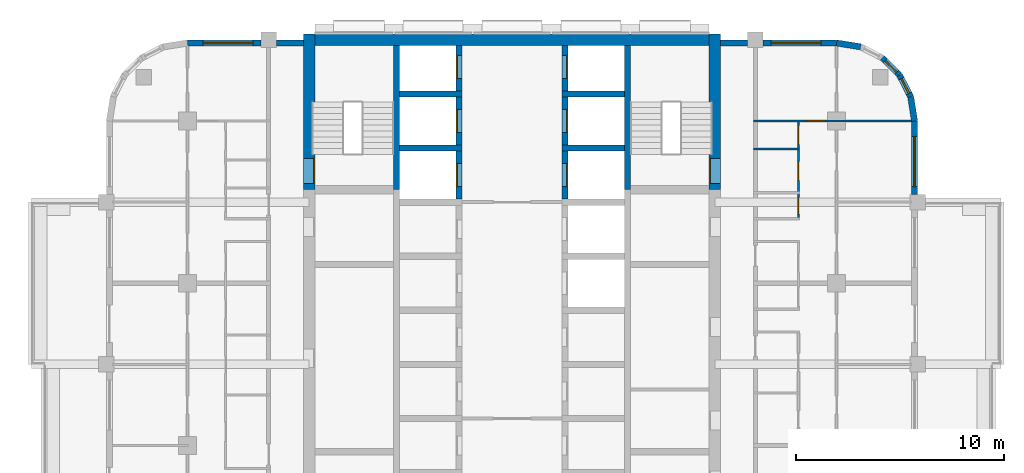
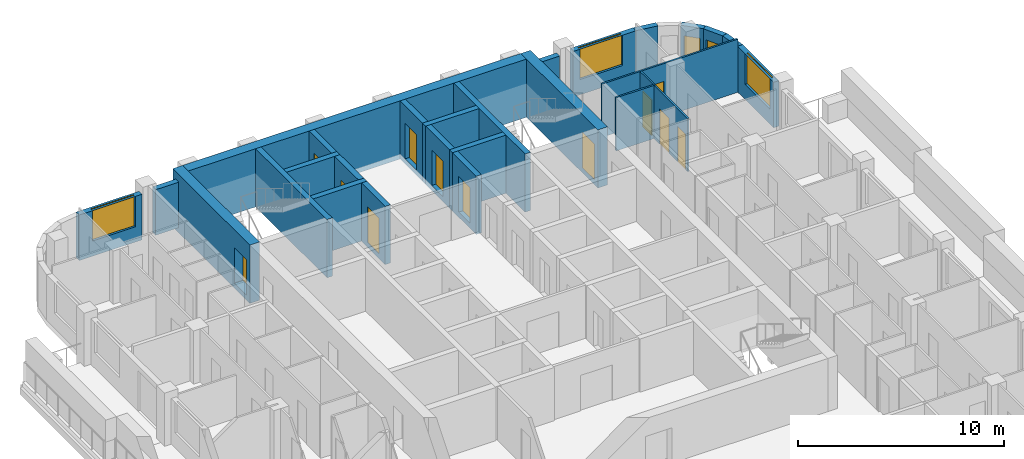
# One storey, part 8 of 13: 27 walls, 12 doors, 5 windows, 17 openings.
"""IFC4 building model written with IfcOpenShell, lengths in metres."""

import ifcopenshell
import ifcopenshell.guid

model = None  # the IFC model being written
_history = None  # IfcOwnerHistory: only IFC2X3 demands one
_inside = {}  # id of a spatial element -> (the spatial element, [elements in it])
_under = {}  # id of a project, library or spatial element -> (it, [spatial elements below it])
_declared = {}  # id of a project -> (the project, [libraries it declares])
_typed = {}  # id of a type object -> (the type object, [elements of that type])
_made_of = {}  # id of a material, layer set ... -> (it, [elements and type objects made of it])


def new_model(schema):
    """Start an empty IFC model of exactly this schema.

    Asked for "IFC4X3", IfcOpenShell would pick the latest addendum, in which some entities
    have other attributes; the version numbers below select the first issue.
    IFC2X3 requires an IfcOwnerHistory on every rooted entity: one is made here for all.
    """
    global model, _history
    if schema == "IFC4X3":
        model = ifcopenshell.file(schema_version=(4, 3, 0, 0))
    else:
        model = ifcopenshell.file(schema=schema)
    _inside.clear()
    _under.clear()
    _declared.clear()
    _typed.clear()
    _made_of.clear()
    _history = None
    if model.schema == "IFC2X3":
        org = make("IfcOrganization", Name="unknown")
        user = make(
            "IfcPersonAndOrganization",
            ThePerson=make("IfcPerson", FamilyName="unknown"),
            TheOrganization=org,
        )
        app = make(
            "IfcApplication",
            ApplicationDeveloper=org,
            Version="unknown",
            ApplicationFullName="unknown",
            ApplicationIdentifier="unknown",
        )
        _history = make(
            "IfcOwnerHistory",
            OwningUser=user,
            OwningApplication=app,
            ChangeAction="ADDED",
            CreationDate=0,
        )
    return model


def make(cls, **values):
    """One entity of the class cls with the attributes given. An attribute that is None is left unset."""
    return model.create_entity(
        cls, **{name: value for name, value in values.items() if value is not None}
    )


def rooted(cls, **values):
    """An entity with a GlobalId (a new one), such as an element, a storey or a relation."""
    return make(cls, GlobalId=ifcopenshell.guid.new(), OwnerHistory=_history, **values)


def si_unit(unit_type, name, prefix=None):
    """IfcSIUnit, for example si_unit("LENGTHUNIT", "METRE", prefix="MILLI")."""
    return make("IfcSIUnit", UnitType=unit_type, Prefix=prefix, Name=name)


def assignment(units):
    """IfcUnitAssignment: the units of a project."""
    return None if units is None else make("IfcUnitAssignment", Units=units)


def point(xyz):
    """IfcCartesianPoint."""
    return None if xyz is None else make("IfcCartesianPoint", Coordinates=xyz)


def direction(xyz):
    """IfcDirection."""
    return None if xyz is None else make("IfcDirection", DirectionRatios=xyz)


def frame(location, z_axis=None, x_axis=None):
    """IfcAxis2Placement3D, a coordinate frame: its origin and axes. An axis left out is left unset."""
    return make(
        "IfcAxis2Placement3D",
        Location=point(location),
        Axis=direction(z_axis),
        RefDirection=direction(x_axis),
    )


def frame_2d(location, x_axis=None):
    """IfcAxis2Placement2D, a coordinate frame in the plane: its origin and x axis."""
    return make(
        "IfcAxis2Placement2D", Location=point(location), RefDirection=direction(x_axis)
    )


def origin():
    """The frame at (0, 0, 0) with its axes left unset."""
    return frame((0.0, 0.0, 0.0))


def place(relative_to, where):
    """IfcLocalPlacement: puts the frame where relative to a parent placement (None: the world)."""
    return make(
        "IfcLocalPlacement", PlacementRelTo=relative_to, RelativePlacement=where
    )


def context(
    kind, dimensions, precision=None, world=None, true_north=None, identifier=None
):
    """IfcGeometricRepresentationContext, for example the 3D "Model" context."""
    return make(
        "IfcGeometricRepresentationContext",
        ContextIdentifier=identifier,
        ContextType=kind,
        CoordinateSpaceDimension=dimensions,
        Precision=precision,
        WorldCoordinateSystem=world,
        TrueNorth=true_north,
    )


def subcontext(parent, identifier, kind, view, scale=None):
    """IfcGeometricRepresentationSubContext, for example "Body" below "Model"."""
    return make(
        "IfcGeometricRepresentationSubContext",
        ContextIdentifier=identifier,
        ContextType=kind,
        ParentContext=parent,
        TargetScale=scale,
        TargetView=view,
    )


def project(units=None, contexts=None):
    """IfcProject with its units and contexts."""
    return rooted(
        "IfcProject",
        Name="project",
        RepresentationContexts=contexts,
        UnitsInContext=assignment(units),
    )


def spatial(cls, under=None, at=None, **own):
    """A site, building, storey or space (cls), placed at a placement, below another one or the project."""
    s = rooted(cls, ObjectPlacement=at, **own)
    if under is not None:
        _under.setdefault(under.id(), (under, []))[1].append(s)
    return s


def profile(cls, at=None, kind="AREA", **sizes):
    """A parametric profile (cls). Its sizes go by their IFC names, for example OverallWidth=200.0."""
    return make(cls, ProfileType=kind, Position=at, **sizes)


def rectangle(**sizes):
    """IfcRectangleProfileDef."""
    return profile("IfcRectangleProfileDef", **sizes)


def extrude(swept, where, along, depth):
    """IfcExtrudedAreaSolid: the profile swept, set in the frame where, extruded along a direction by depth."""
    return make(
        "IfcExtrudedAreaSolid",
        SweptArea=swept,
        Position=where,
        ExtrudedDirection=direction(along),
        Depth=depth,
    )


def shape(context_of_items, identifier, shape_type, items):
    """IfcShapeRepresentation: the items that make up one representation, for example the "Body"."""
    return make(
        "IfcShapeRepresentation",
        ContextOfItems=context_of_items,
        RepresentationIdentifier=identifier,
        RepresentationType=shape_type,
        Items=items,
    )


def material(Name=None, Category=None):
    """IfcMaterial."""
    return make("IfcMaterial", Name=Name, Category=Category)


def layer(
    of_material, thickness, ventilated=None, Name=None, Category=None, Priority=None
):
    """IfcMaterialLayer: one layer of a wall or slab, of a material (None: an air gap)."""
    return make(
        "IfcMaterialLayer",
        Material=of_material,
        LayerThickness=thickness,
        IsVentilated=ventilated,
        Name=Name,
        Category=Category,
        Priority=Priority,
    )


def layer_set(layers, Name=None):
    """IfcMaterialLayerSet."""
    return make("IfcMaterialLayerSet", MaterialLayers=layers, LayerSetName=Name)


def made_of(thing, what):
    """Note that an element or type object is made of a material, layer set ...; save() writes the relation."""
    if what is not None:
        _made_of.setdefault(what.id(), (what, []))[1].append(thing)
    return thing


def type_object(cls, material=None, **own):
    """A type object (cls), such as IfcWallType, which elements share."""
    return made_of(rooted(cls, **own), material)


def element(
    cls,
    number,
    at=None,
    inside=None,
    cuts=None,
    type_object=None,
    material=None,
    context=None,
    identifier="Body",
    shape_type=None,
    held_by="IfcProductDefinitionShape",
    body=None,
    shapes=None,
    **own,
):
    """One element of the class cls, such as IfcWall. Its Tag is "e" and its number.

    at: its placement. inside: the storey or other place that contains it. cuts: it is an
    opening in that element (IfcRelVoidsElement). A single representation is given by context,
    identifier, shape_type and body (its items); several are given by shapes. held_by: the class
    of the entity that holds the representations. save() writes the other relations.
    """
    e = rooted(cls, Tag="e%d" % number, ObjectPlacement=at, **own)
    if body is not None:
        shapes = [shape(context, identifier, shape_type, body)]
    if shapes is not None:
        e.Representation = make(held_by, Representations=shapes)
    if inside is not None:
        _inside.setdefault(inside.id(), (inside, []))[1].append(e)
    if cuts is not None:
        rooted(
            "IfcRelVoidsElement", RelatingBuildingElement=cuts, RelatedOpeningElement=e
        )
    if type_object is not None:
        _typed.setdefault(type_object.id(), (type_object, []))[1].append(e)
    return made_of(e, material)


def fill(opening, filler):
    """IfcRelFillsElement: the door or window that sits in an opening."""
    return rooted(
        "IfcRelFillsElement",
        RelatingOpeningElement=opening,
        RelatedBuildingElement=filler,
    )


def aggregate(whole, parts):
    """IfcRelAggregates: a whole, such as a stair, and the parts it consists of."""
    return rooted("IfcRelAggregates", RelatingObject=whole, RelatedObjects=parts)


def save(model, path):
    """Write the relations noted so far, then the file.

    IfcRelAggregates (storeys below a building ...), IfcRelContainedInSpatialStructure (elements
    in a storey), IfcRelDefinesByType, IfcRelAssociatesMaterial and IfcRelDeclares: one each for
    every whole, place, type object, material and project.
    """
    for whole, parts in _under.values():
        aggregate(whole, parts)
    for where, things in _inside.values():
        rooted(
            "IfcRelContainedInSpatialStructure",
            RelatedElements=things,
            RelatingStructure=where,
        )
    for kind, things in _typed.values():
        rooted("IfcRelDefinesByType", RelatedObjects=things, RelatingType=kind)
    for what, things in _made_of.values():
        rooted("IfcRelAssociatesMaterial", RelatedObjects=things, RelatingMaterial=what)
    for by, libraries in _declared.values():
        rooted("IfcRelDeclares", RelatingContext=by, RelatedDefinitions=libraries)
    model.write(path)


model = new_model("IFC4")

# Units and contexts
model_context = context("Model", 3, precision=1e-05, world=origin(), true_north=direction((0.0, 1.0)))
body_context = subcontext(model_context, "Body", "Model", "MODEL_VIEW")
ifc_project = project(units=[si_unit("LENGTHUNIT", "METRE"), si_unit("AREAUNIT", "SQUARE_METRE"), si_unit("VOLUMEUNIT", "CUBIC_METRE"), si_unit("PLANEANGLEUNIT", "RADIAN"), si_unit("MASSUNIT", "GRAM", prefix="KILO")], contexts=[model_context])

# Site, building, storey
site_placement = place(None, origin())
site = spatial("IfcSite", under=ifc_project, at=site_placement, CompositionType="ELEMENT")
building_placement = place(site_placement, origin())
building = spatial("IfcBuilding", under=site, at=building_placement, Name="Ludao Terraces", CompositionType="ELEMENT")
storey_placement = place(building_placement, frame((0.0, 0.0, 148.60009765625)))
storey = spatial("IfcBuildingStorey", under=building, at=storey_placement, Name="L40", CompositionType="ELEMENT", Elevation=148.60009765625)

# Wall, opening, door
ifc_material_1 = material(Name="Concrete C60", Category="concrete")
ifc_layer_1 = layer(ifc_material_1, 0.550048828125)
ifc_layer_set_1 = layer_set([ifc_layer_1], Name="Core wall 550 C60")
wall_type_1 = type_object("IfcWallType", Name="Core wall 550 C60", PredefinedType="SOLIDWALL", material=ifc_layer_set_1)
wall_1_placement = place(storey_placement, frame((75.25, 77.300048828125, -0.300048828125), z_axis=(0.0, 0.0, 1.0), x_axis=(0.0, 1.0, 0.0)))
wall_1 = element("IfcWall", 1, at=wall_1_placement, inside=storey, type_object=wall_type_1, Name="Core wall L40 outer-W-S1", PredefinedType="SOLIDWALL", context=body_context, shape_type="SweptSolid", body=[
    extrude(rectangle(XDim=7.474853515625, YDim=0.550048828125, at=frame_2d((3.7373046875, 0.0))), origin(), (0.0, 0.0, 1.0), 3.449951171875),
])
opening_1_placement = place(wall_1_placement, frame((0.300048828125, 0.0, 0.300048828125)))
opening_1 = element("IfcOpeningElement", 2, at=opening_1_placement, cuts=wall_1, Name="Opening R14-078", PredefinedType="OPENING", context=body_context, shape_type="SweptSolid", body=[
    extrude(rectangle(XDim=1.199951171875, YDim=2.10009765625, at=frame_2d((0.60009765625, 1.050048828125))), frame((0.0, 0.28515625, 0.0), z_axis=(0.0, -1.0, 0.0), x_axis=(1.0, 0.0, 0.0)), (0.0, 0.0, 1.0), 0.570068359375),
])
ifc_material_2 = material(Name="Steel Q235", Category="steel")
door_type_1 = type_object("IfcDoorType", Name="INT Stair door 1200", OperationType="DOUBLE_DOOR_SINGLE_SWING", PredefinedType="DOOR", material=ifc_material_2)
door_1_placement = place(opening_1_placement, origin())
door_1 = element("IfcDoor", 3, at=door_1_placement, inside=storey, type_object=door_type_1, Name="DOOR 078", OperationType="DOUBLE_DOOR_SINGLE_SWING", OverallHeight=2.10009765625, OverallWidth=1.199951171875, PredefinedType="DOOR", context=body_context, shape_type="SweptSolid", body=[
    extrude(rectangle(XDim=1.199951171875, YDim=2.10009765625, at=frame_2d((0.60009765625, 1.050048828125))), frame((0.0, -0.2099609375, 0.0), z_axis=(0.0, -1.0, 0.0), x_axis=(1.0, 0.0, 0.0)), (0.0, 0.0, 1.0), 0.050048828125),
])
fill(opening_1, door_1)

wall_2_placement = place(storey_placement, frame((94.75, 77.300048828125, -0.300048828125), z_axis=(0.0, 0.0, 1.0), x_axis=(0.0, 1.0, 0.0)))
wall_2 = element("IfcWall", 4, at=wall_2_placement, inside=storey, type_object=wall_type_1, Name="Core wall L40 outer-E-S2", PredefinedType="SOLIDWALL", context=body_context, shape_type="SweptSolid", body=[
    extrude(rectangle(XDim=7.474853515625, YDim=0.550048828125, at=frame_2d((3.7373046875, 0.0))), origin(), (0.0, 0.0, 1.0), 3.449951171875),
])
opening_2_placement = place(wall_2_placement, frame((0.300048828125, 0.0, 0.300048828125)))
opening_2 = element("IfcOpeningElement", 5, at=opening_2_placement, cuts=wall_2, Name="Opening R14-079", PredefinedType="OPENING", context=body_context, shape_type="SweptSolid", body=[
    extrude(rectangle(XDim=1.199951171875, YDim=2.10009765625, at=frame_2d((0.60009765625, 1.050048828125))), frame((0.0, 0.28515625, 0.0), z_axis=(0.0, -1.0, 0.0), x_axis=(1.0, 0.0, 0.0)), (0.0, 0.0, 1.0), 0.570068359375),
])
door_2_placement = place(opening_2_placement, origin())
door_2 = element("IfcDoor", 6, at=door_2_placement, inside=storey, type_object=door_type_1, Name="DOOR 079", OperationType="DOUBLE_DOOR_SINGLE_SWING", OverallHeight=2.10009765625, OverallWidth=1.199951171875, PredefinedType="DOOR", context=body_context, shape_type="SweptSolid", body=[
    extrude(rectangle(XDim=1.199951171875, YDim=2.10009765625, at=frame_2d((0.60009765625, 1.050048828125))), frame((0.0, 0.26025390625, 0.0), z_axis=(0.0, -1.0, 0.0), x_axis=(1.0, 0.0, 0.0)), (0.0, 0.0, 1.0), 0.050048828125),
])
fill(opening_2, door_2)

# Wall
wall_3_placement = place(storey_placement, frame((75.52490234375, 84.5, -0.300048828125), z_axis=(0.0, 0.0, 1.0), x_axis=(1.0, 0.0, 0.0)))
element("IfcWall", 7, at=wall_3_placement, inside=storey, type_object=wall_type_1, Name="Core wall L40 outer-N", PredefinedType="SOLIDWALL", context=body_context, shape_type="SweptSolid", body=[
    extrude(rectangle(XDim=18.9501953125, YDim=0.550048828125, at=frame_2d((9.47509765625, 0.0))), origin(), (0.0, 0.0, 1.0), 3.449951171875),
])

# Wall, opening, window
ifc_material_3 = material(Name="Granite cladding", Category="masonry")
ifc_layer_2 = layer(ifc_material_3, 0.0400390625, Category="stone")
ifc_material_4 = material(Name="Mineral wool")
ifc_layer_3 = layer(ifc_material_4, 0.06005859375)
ifc_material_5 = material(Name="Concrete C40", Category="concrete")
ifc_layer_4 = layer(ifc_material_5, 0.199951171875, Category="concrete")
ifc_layer_set_2 = layer_set([ifc_layer_2, ifc_layer_3, ifc_layer_4], Name="ENV Stone-clad wall 300")
wall_type_2 = type_object("IfcWallType", Name="ENV Stone-clad wall 300", PredefinedType="SOLIDWALL", material=ifc_layer_set_2)
wall_4_placement = place(storey_placement, frame((104.35009765625, 77.074951171875, 0.0), z_axis=(0.0, 0.0, 1.0), x_axis=(0.0, 1.0, 0.0)))
wall_4 = element("IfcWall", 8, at=wall_4_placement, inside=storey, type_object=wall_type_2, Name="EW-L40-E5", PredefinedType="SOLIDWALL", context=body_context, shape_type="SweptSolid", body=[
    extrude(rectangle(XDim=3.525146484375, YDim=0.300048828125, at=frame_2d((1.7626953125, 0.0))), origin(), (0.0, 0.0, 1.0), 2.699951171875),
])
opening_3_placement = place(wall_4_placement, frame((0.375, 0.0, 0.89990234375)))
opening_3 = element("IfcOpeningElement", 9, at=opening_3_placement, cuts=wall_4, Name="Opening W1", PredefinedType="OPENING", context=body_context, shape_type="SweptSolid", body=[
    extrude(rectangle(XDim=2.39990234375, YDim=1.800048828125, at=frame_2d((1.199951171875, 0.89990234375))), frame((0.0, 0.16015625, 0.0), z_axis=(0.0, -1.0, 0.0), x_axis=(1.0, 0.0, 0.0)), (0.0, 0.0, 1.0), 0.320068359375),
])
ifc_material_6 = material(Name="Clear glass in aluminium frame", Category="aluminium")
ifc_layer_5 = layer(ifc_material_6, 0.06005859375)
ifc_layer_set_3 = layer_set([ifc_layer_5], Name="ENV Window W1 2400x1800")
window_type_1 = type_object("IfcWindowType", Name="ENV Window W1 2400x1800", PartitioningType="DOUBLE_PANEL_VERTICAL", PredefinedType="WINDOW", material=ifc_layer_set_3)
window_1_placement = place(opening_3_placement, origin())
window_1 = element("IfcWindow", 10, at=window_1_placement, inside=storey, type_object=window_type_1, Name="W-L40-E5-1", OverallHeight=1.800048828125, OverallWidth=2.39990234375, PartitioningType="DOUBLE_PANEL_VERTICAL", PredefinedType="WINDOW", context=body_context, shape_type="SweptSolid", body=[
    extrude(rectangle(XDim=2.39990234375, YDim=1.800048828125, at=frame_2d((1.199951171875, 0.89990234375))), frame((0.0, 0.030029296875, 0.0), z_axis=(0.0, -1.0, 0.0), x_axis=(1.0, 0.0, 0.0)), (0.0, 0.0, 1.0), 0.06005859375),
])
fill(opening_3, window_1)

wall_5_placement = place(storey_placement, frame((69.39990234375, 84.35009765625, 0.0), z_axis=(0.0, 0.0, 1.0), x_axis=(1.0, 0.0, 0.0)))
wall_5 = element("IfcWall", 11, at=wall_5_placement, inside=storey, type_object=wall_type_2, Name="EW-L40-N1", PredefinedType="SOLIDWALL", context=body_context, shape_type="SweptSolid", body=[
    extrude(rectangle(XDim=3.525146484375, YDim=0.300048828125, at=frame_2d((1.7626953125, 0.0))), origin(), (0.0, 0.0, 1.0), 2.699951171875),
])
opening_4_placement = place(wall_5_placement, frame((0.75, 0.0, 0.89990234375)))
opening_4 = element("IfcOpeningElement", 12, at=opening_4_placement, cuts=wall_5, Name="Opening W1", PredefinedType="OPENING", context=body_context, shape_type="SweptSolid", body=[
    extrude(rectangle(XDim=2.39990234375, YDim=1.800048828125, at=frame_2d((1.199951171875, 0.89990234375))), frame((0.0, 0.16015625, 0.0), z_axis=(0.0, -1.0, 0.0), x_axis=(1.0, 0.0, 0.0)), (0.0, 0.0, 1.0), 0.320068359375),
])
window_2_placement = place(opening_4_placement, origin())
window_2 = element("IfcWindow", 13, at=window_2_placement, inside=storey, type_object=window_type_1, Name="W-L40-N1-1", OverallHeight=1.800048828125, OverallWidth=2.39990234375, PartitioningType="DOUBLE_PANEL_VERTICAL", PredefinedType="WINDOW", context=body_context, shape_type="SweptSolid", body=[
    extrude(rectangle(XDim=2.39990234375, YDim=1.800048828125, at=frame_2d((1.199951171875, 0.89990234375))), frame((0.0, 0.030029296875, 0.0), z_axis=(0.0, -1.0, 0.0), x_axis=(1.0, 0.0, 0.0)), (0.0, 0.0, 1.0), 0.06005859375),
])
fill(opening_4, window_2)

# Walls
for number, where, z_axis, x_axis, name in (
    (14, (73.675048828125, 84.35009765625, 0.0), (0.0, 0.0, 1.0), (1.0, 0.0, 0.0), "EW-L40-N2"),
    (15, (95.02490234375, 84.35009765625, 0.0), (0.0, 0.0, 1.0), (1.0, 0.0, 0.0), "EW-L40-N3"),
):
    element("IfcWall", number, at=place(storey_placement, frame(where, z_axis=z_axis, x_axis=x_axis)), inside=storey, type_object=wall_type_2, Name=name, PredefinedType="SOLIDWALL", context=body_context, shape_type="SweptSolid", body=[
        extrude(rectangle(XDim=1.300048828125, YDim=0.300048828125, at=frame_2d((0.64990234375, 0.0))), origin(), (0.0, 0.0, 1.0), 2.699951171875),
    ])

# Wall, opening, window
wall_6_placement = place(storey_placement, frame((97.074951171875, 84.35009765625, 0.0), z_axis=(0.0, 0.0, 1.0), x_axis=(1.0, 0.0, 0.0)))
wall_6 = element("IfcWall", 16, at=wall_6_placement, inside=storey, type_object=wall_type_2, Name="EW-L40-N4", PredefinedType="SOLIDWALL", context=body_context, shape_type="SweptSolid", body=[
    extrude(rectangle(XDim=3.525146484375, YDim=0.300048828125, at=frame_2d((1.7626953125, 0.0))), origin(), (0.0, 0.0, 1.0), 2.699951171875),
])
opening_5_placement = place(wall_6_placement, frame((0.375, 0.0, 0.89990234375)))
opening_5 = element("IfcOpeningElement", 17, at=opening_5_placement, cuts=wall_6, Name="Opening W1", PredefinedType="OPENING", context=body_context, shape_type="SweptSolid", body=[
    extrude(rectangle(XDim=2.39990234375, YDim=1.800048828125, at=frame_2d((1.199951171875, 0.89990234375))), frame((0.0, 0.16015625, 0.0), z_axis=(0.0, -1.0, 0.0), x_axis=(1.0, 0.0, 0.0)), (0.0, 0.0, 1.0), 0.320068359375),
])
window_3_placement = place(opening_5_placement, origin())
window_3 = element("IfcWindow", 18, at=window_3_placement, inside=storey, type_object=window_type_1, Name="W-L40-N4-1", OverallHeight=1.800048828125, OverallWidth=2.39990234375, PartitioningType="DOUBLE_PANEL_VERTICAL", PredefinedType="WINDOW", context=body_context, shape_type="SweptSolid", body=[
    extrude(rectangle(XDim=2.39990234375, YDim=1.800048828125, at=frame_2d((1.199951171875, 0.89990234375))), frame((0.0, 0.030029296875, 0.0), z_axis=(0.0, -1.0, 0.0), x_axis=(1.0, 0.0, 0.0)), (0.0, 0.0, 1.0), 0.06005859375),
])
fill(opening_5, window_3)

# Wall
wall_7_placement = place(storey_placement, frame((104.35009765625, 80.60009765625, 0.0), z_axis=(0.0, 0.0, 1.0), x_axis=(-0.156496880861, 0.987678452879, 0.0)))
element("IfcWall", 19, at=wall_7_placement, inside=storey, type_object=wall_type_2, Name="EW-L40-NE1", PredefinedType="SOLIDWALL", context=body_context, shape_type="SweptSolid", body=[
    extrude(rectangle(XDim=1.173095703125, YDim=0.300048828125, at=frame_2d((0.58642578125, 0.0))), origin(), (0.0, 0.0, 1.0), 2.699951171875),
])

# Wall, opening, window
wall_8_placement = place(storey_placement, frame((104.16650390625, 81.7587890625, 0.0), z_axis=(0.0, 0.0, 1.0), x_axis=(-0.454025524128, 0.890988677504, 0.0)))
wall_8 = element("IfcWall", 20, at=wall_8_placement, inside=storey, type_object=wall_type_2, Name="EW-L40-NE2", PredefinedType="SOLIDWALL", context=body_context, shape_type="SweptSolid", body=[
    extrude(rectangle(XDim=1.17333984375, YDim=0.300048828125, at=frame_2d((0.586669921875, 0.0))), origin(), (0.0, 0.0, 1.0), 2.699951171875),
])
opening_6_placement = place(wall_8_placement, frame((0.1865234375, 0.0, 0.89990234375)))
opening_6 = element("IfcOpeningElement", 21, at=opening_6_placement, cuts=wall_8, Name="Opening W3", PredefinedType="OPENING", context=body_context, shape_type="SweptSolid", body=[
    extrude(rectangle(XDim=0.800048828125, YDim=1.199951171875, at=frame_2d((0.39990234375, 0.60009765625))), frame((0.0, 0.16015625, 0.0), z_axis=(0.0, -1.0, 0.0), x_axis=(1.0, 0.0, 0.0)), (0.0, 0.0, 1.0), 0.320068359375),
])
ifc_layer_6 = layer(ifc_material_6, 0.06005859375)
ifc_layer_set_4 = layer_set([ifc_layer_6], Name="ENV Window W3 800x1200")
window_type_2 = type_object("IfcWindowType", Name="ENV Window W3 800x1200", PartitioningType="SINGLE_PANEL", PredefinedType="WINDOW", material=ifc_layer_set_4)
window_4_placement = place(opening_6_placement, origin())
window_4 = element("IfcWindow", 22, at=window_4_placement, inside=storey, type_object=window_type_2, Name="W-L40-NE2", OverallHeight=1.199951171875, OverallWidth=0.800048828125, PartitioningType="SINGLE_PANEL", PredefinedType="WINDOW", context=body_context, shape_type="SweptSolid", body=[
    extrude(rectangle(XDim=0.800048828125, YDim=1.199951171875, at=frame_2d((0.39990234375, 0.60009765625))), frame((0.0, 0.030029296875, 0.0), z_axis=(0.0, -1.0, 0.0), x_axis=(1.0, 0.0, 0.0)), (0.0, 0.0, 1.0), 0.06005859375),
])
fill(opening_6, window_4)

wall_9_placement = place(storey_placement, frame((103.6337890625, 82.80419921875, 0.0), z_axis=(0.0, 0.0, 1.0), x_axis=(-0.707106781187, 0.707106781187, 0.0)))
wall_9 = element("IfcWall", 23, at=wall_9_placement, inside=storey, type_object=wall_type_2, Name="EW-L40-NE3", PredefinedType="SOLIDWALL", context=body_context, shape_type="SweptSolid", body=[
    extrude(rectangle(XDim=1.173095703125, YDim=0.300048828125, at=frame_2d((0.58642578125, 0.0))), origin(), (0.0, 0.0, 1.0), 2.699951171875),
])
opening_7_placement = place(wall_9_placement, frame((0.1865234375, 0.0, 0.89990234375)))
opening_7 = element("IfcOpeningElement", 24, at=opening_7_placement, cuts=wall_9, Name="Opening W3", PredefinedType="OPENING", context=body_context, shape_type="SweptSolid", body=[
    extrude(rectangle(XDim=0.800048828125, YDim=1.199951171875, at=frame_2d((0.39990234375, 0.60009765625))), frame((0.0, 0.16015625, 0.0), z_axis=(0.0, -1.0, 0.0), x_axis=(1.0, 0.0, 0.0)), (0.0, 0.0, 1.0), 0.320068359375),
])
window_5_placement = place(opening_7_placement, origin())
window_5 = element("IfcWindow", 25, at=window_5_placement, inside=storey, type_object=window_type_2, Name="W-L40-NE3", OverallHeight=1.199951171875, OverallWidth=0.800048828125, PartitioningType="SINGLE_PANEL", PredefinedType="WINDOW", context=body_context, shape_type="SweptSolid", body=[
    extrude(rectangle(XDim=0.800048828125, YDim=1.199951171875, at=frame_2d((0.39990234375, 0.60009765625))), frame((0.0, 0.030029296875, 0.0), z_axis=(0.0, -1.0, 0.0), x_axis=(1.0, 0.0, 0.0)), (0.0, 0.0, 1.0), 0.06005859375),
])
fill(opening_7, window_5)

# Walls
wall_10_placement = place(storey_placement, frame((101.7587890625, 84.16650390625, 0.0), z_axis=(0.0, 0.0, 1.0), x_axis=(-0.987678452879, 0.156496880861, 0.0)))
element("IfcWall", 26, at=wall_10_placement, inside=storey, type_object=wall_type_2, Name="EW-L40-NE5", PredefinedType="SOLIDWALL", context=body_context, shape_type="SweptSolid", body=[
    extrude(rectangle(XDim=1.173095703125, YDim=0.300048828125, at=frame_2d((0.58642578125, 0.0))), origin(), (0.0, 0.0, 1.0), 2.699951171875),
])
ifc_material_7 = material(Name="Gypsum plasterboard", Category="gypsum")
ifc_layer_7 = layer(ifc_material_7, 0.012451171875, Category="gypsum")
ifc_layer_8 = layer(ifc_material_4, 0.06005859375, Name="insulation")
ifc_layer_9 = layer(ifc_material_2, 0.014892578125, Name="stud")
ifc_layer_10 = layer(ifc_material_7, 0.012451171875, Category="gypsum")
ifc_layer_set_5 = layer_set([ifc_layer_7, ifc_layer_8, ifc_layer_9, ifc_layer_10], Name="INT Partition 100")
wall_type_3 = type_object("IfcWallType", Name="INT Partition 100", PredefinedType="PARTITIONING", material=ifc_layer_set_5)
wall_11_placement = place(storey_placement, frame((96.60009765625, 79.25, 0.0), z_axis=(0.0, 0.0, 1.0), x_axis=(1.0, 0.0, 0.0)))
element("IfcWall", 27, at=wall_11_placement, inside=storey, type_object=wall_type_3, Name="PW-L40-PW045", PredefinedType="PARTITIONING", context=body_context, shape_type="SweptSolid", body=[
    extrude(rectangle(XDim=2.219970703125, YDim=0.10009765625, at=frame_2d((1.10986328125, 0.0))), origin(), (0.0, 0.0, 1.0), 3.14990234375),
])

# Wall, opening, door
wall_12_placement = place(storey_placement, frame((96.60009765625, 80.60009765625, 0.0), z_axis=(0.0, 0.0, 1.0), x_axis=(1.0, 0.0, 0.0)))
wall_12 = element("IfcWall", 28, at=wall_12_placement, inside=storey, type_object=wall_type_3, Name="PW-L40-PW047", PredefinedType="PARTITIONING", context=body_context, shape_type="SweptSolid", body=[
    extrude(rectangle(XDim=7.60009765625, YDim=0.10009765625, at=frame_2d((3.800048828125, 0.0))), origin(), (0.0, 0.0, 1.0), 3.14990234375),
])
opening_8_placement = place(wall_12_placement, frame((2.56005859375, 0.0, 0.0)))
opening_8 = element("IfcOpeningElement", 29, at=opening_8_placement, cuts=wall_12, Name="Opening R14-088", PredefinedType="OPENING", context=body_context, shape_type="SweptSolid", body=[
    extrude(rectangle(XDim=0.89990234375, YDim=2.10009765625, at=frame_2d((0.449951171875, 1.050048828125))), frame((0.0, 0.06005859375, 0.0), z_axis=(0.0, -1.0, 0.0), x_axis=(1.0, 0.0, 0.0)), (0.0, 0.0, 1.0), 0.1201171875),
])
ifc_material_8 = material(Name="Timber door leaf", Category="wood")
door_type_2 = type_object("IfcDoorType", Name="INT Room door 900", OperationType="SINGLE_SWING_LEFT", PredefinedType="DOOR", material=ifc_material_8)
door_3_placement = place(opening_8_placement, origin())
door_3 = element("IfcDoor", 30, at=door_3_placement, inside=storey, type_object=door_type_2, Name="DOOR 088", OperationType="SINGLE_SWING_RIGHT", OverallHeight=2.10009765625, OverallWidth=0.89990234375, PredefinedType="DOOR", context=body_context, shape_type="SweptSolid", body=[
    extrude(rectangle(XDim=0.89990234375, YDim=2.10009765625, at=frame_2d((0.449951171875, 1.050048828125))), frame((0.0, 0.02490234375, 0.0), z_axis=(0.0, -1.0, 0.0), x_axis=(1.0, 0.0, 0.0)), (0.0, 0.0, 1.0), 0.050048828125),
])
fill(opening_8, door_3)

# Wall, openings, doors
wall_13_placement = place(storey_placement, frame((98.77001953125, 75.9501953125, 0.0), z_axis=(0.0, 0.0, 1.0), x_axis=(0.0, 1.0, 0.0)))
wall_13 = element("IfcWall", 31, at=wall_13_placement, inside=storey, type_object=wall_type_3, Name="PW-L40-PW063", PredefinedType="PARTITIONING", context=body_context, shape_type="SweptSolid", body=[
    extrude(rectangle(XDim=4.599853515625, YDim=0.10009765625, at=frame_2d((2.2998046875, 0.0))), origin(), (0.0, 0.0, 1.0), 3.14990234375),
])
opening_9_placement = place(wall_13_placement, frame((0.1748046875, 0.0, 0.0)))
opening_9 = element("IfcOpeningElement", 32, at=opening_9_placement, cuts=wall_13, Name="Opening R14-071", PredefinedType="OPENING", context=body_context, shape_type="SweptSolid", body=[
    extrude(rectangle(XDim=0.800048828125, YDim=2.10009765625, at=frame_2d((0.39990234375, 1.050048828125))), frame((0.0, 0.06005859375, 0.0), z_axis=(0.0, -1.0, 0.0), x_axis=(1.0, 0.0, 0.0)), (0.0, 0.0, 1.0), 0.1201171875),
])
opening_10_placement = place(wall_13_placement, frame((1.7998046875, 0.0, 0.0)))
opening_10 = element("IfcOpeningElement", 33, at=opening_10_placement, cuts=wall_13, Name="Opening R14-080", PredefinedType="OPENING", context=body_context, shape_type="SweptSolid", body=[
    extrude(rectangle(XDim=0.89990234375, YDim=2.10009765625, at=frame_2d((0.449951171875, 1.050048828125))), frame((0.0, 0.06005859375, 0.0), z_axis=(0.0, -1.0, 0.0), x_axis=(1.0, 0.0, 0.0)), (0.0, 0.0, 1.0), 0.1201171875),
])
opening_11_placement = place(wall_13_placement, frame((3.52490234375, 0.0, 0.0)))
opening_11 = element("IfcOpeningElement", 34, at=opening_11_placement, cuts=wall_13, Name="Opening R14-084", PredefinedType="OPENING", context=body_context, shape_type="SweptSolid", body=[
    extrude(rectangle(XDim=0.89990234375, YDim=2.10009765625, at=frame_2d((0.449951171875, 1.050048828125))), frame((0.0, 0.06005859375, 0.0), z_axis=(0.0, -1.0, 0.0), x_axis=(1.0, 0.0, 0.0)), (0.0, 0.0, 1.0), 0.1201171875),
])
door_type_3 = type_object("IfcDoorType", Name="INT Bathroom door 900", OperationType="SINGLE_SWING_LEFT", PredefinedType="DOOR", material=ifc_material_8)
door_4_placement = place(opening_11_placement, origin())
door_4 = element("IfcDoor", 35, at=door_4_placement, inside=storey, type_object=door_type_3, Name="DOOR 084", OperationType="SINGLE_SWING_RIGHT", OverallHeight=2.10009765625, OverallWidth=0.89990234375, PredefinedType="DOOR", context=body_context, shape_type="SweptSolid", body=[
    extrude(rectangle(XDim=0.89990234375, YDim=2.10009765625, at=frame_2d((0.449951171875, 1.050048828125))), frame((0.0, 0.02490234375, 0.0), z_axis=(0.0, -1.0, 0.0), x_axis=(1.0, 0.0, 0.0)), (0.0, 0.0, 1.0), 0.050048828125),
])
fill(opening_11, door_4)
door_5_placement = place(opening_10_placement, origin())
door_5 = element("IfcDoor", 36, at=door_5_placement, inside=storey, type_object=door_type_2, Name="DOOR 080", OperationType="SINGLE_SWING_LEFT", OverallHeight=2.10009765625, OverallWidth=0.89990234375, PredefinedType="DOOR", context=body_context, shape_type="SweptSolid", body=[
    extrude(rectangle(XDim=0.89990234375, YDim=2.10009765625, at=frame_2d((0.449951171875, 1.050048828125))), frame((0.0, 0.02490234375, 0.0), z_axis=(0.0, -1.0, 0.0), x_axis=(1.0, 0.0, 0.0)), (0.0, 0.0, 1.0), 0.050048828125),
])
fill(opening_10, door_5)
door_type_4 = type_object("IfcDoorType", Name="INT Store door 800", OperationType="SINGLE_SWING_LEFT", PredefinedType="DOOR", material=ifc_material_8)
door_6_placement = place(opening_9_placement, origin())
door_6 = element("IfcDoor", 37, at=door_6_placement, inside=storey, type_object=door_type_4, Name="DOOR 071", OperationType="SINGLE_SWING_LEFT", OverallHeight=2.10009765625, OverallWidth=0.800048828125, PredefinedType="DOOR", context=body_context, shape_type="SweptSolid", body=[
    extrude(rectangle(XDim=0.800048828125, YDim=2.10009765625, at=frame_2d((0.39990234375, 1.050048828125))), frame((0.0, 0.02490234375, 0.0), z_axis=(0.0, -1.0, 0.0), x_axis=(1.0, 0.0, 0.0)), (0.0, 0.0, 1.0), 0.050048828125),
])
fill(opening_9, door_6)

# Walls
ifc_material_9 = material(Name="Concrete C55", Category="concrete")
ifc_layer_11 = layer(ifc_material_9, 0.300048828125)
ifc_layer_set_6 = layer_set([ifc_layer_11], Name="Shaft wall 300 C55")
wall_type_4 = type_object("IfcWallType", Name="Shaft wall 300 C55", PredefinedType="SOLIDWALL", material=ifc_layer_set_6)
for number, where, z_axis, x_axis, name in (
    (38, (79.449951171875, 77.300048828125, -0.300048828125), (0.0, 0.0, 1.0), (0.0, 1.0, 0.0), "Core wall L40 back-W-S1"),
    (39, (90.550048828125, 77.300048828125, -0.300048828125), (0.0, 0.0, 1.0), (0.0, 1.0, 0.0), "Core wall L40 back-E-S2"),
):
    element("IfcWall", number, at=place(storey_placement, frame(where, z_axis=z_axis, x_axis=x_axis)), inside=storey, type_object=wall_type_4, Name=name, PredefinedType="SOLIDWALL", context=body_context, shape_type="SweptSolid", body=[
        extrude(rectangle(XDim=6.925048828125, YDim=0.300048828125, at=frame_2d((3.46240234375, 0.0))), origin(), (0.0, 0.0, 1.0), 3.449951171875),
    ])

# Wall, opening, door
wall_14_placement = place(storey_placement, frame((82.449951171875, 76.85009765625, -0.300048828125), z_axis=(0.0, 0.0, 1.0), x_axis=(0.0, 1.0, 0.0)))
wall_14 = element("IfcWall", 40, at=wall_14_placement, inside=storey, type_object=wall_type_4, Name="Core wall L40 front-W7", PredefinedType="SOLIDWALL", context=body_context, shape_type="SweptSolid", body=[
    extrude(rectangle(XDim=2.2998046875, YDim=0.300048828125, at=frame_2d((1.14990234375, 0.0))), origin(), (0.0, 0.0, 1.0), 3.449951171875),
])
opening_12_placement = place(wall_14_placement, frame((0.60009765625, 0.0, 0.300048828125)))
opening_12 = element("IfcOpeningElement", 41, at=opening_12_placement, cuts=wall_14, Name="Opening LD-FF1", PredefinedType="OPENING", context=body_context, shape_type="SweptSolid", body=[
    extrude(rectangle(XDim=1.10009765625, YDim=2.10009765625, at=frame_2d((0.550048828125, 1.050048828125))), frame((0.0, 0.16015625, 0.0), z_axis=(0.0, -1.0, 0.0), x_axis=(1.0, 0.0, 0.0)), (0.0, 0.0, 1.0), 0.320068359375),
])
ifc_material_10 = material(Name="Stainless steel 304", Category="steel")
door_type_5 = type_object("IfcDoorType", Name="INT Lift landing door 1100", OperationType="SLIDING_TO_LEFT", PredefinedType="DOOR", material=ifc_material_10)
door_7_placement = place(opening_12_placement, origin())
door_7 = element("IfcDoor", 42, at=door_7_placement, inside=storey, type_object=door_type_5, Name="LANDING DOOR FF1 L40", OperationType="SLIDING_TO_LEFT", OverallHeight=2.10009765625, OverallWidth=1.10009765625, PredefinedType="DOOR", context=body_context, shape_type="SweptSolid", body=[
    extrude(rectangle(XDim=1.10009765625, YDim=2.10009765625, at=frame_2d((0.550048828125, 1.050048828125))), frame((0.0, 0.13525390625, 0.0), z_axis=(0.0, -1.0, 0.0), x_axis=(1.0, 0.0, 0.0)), (0.0, 0.0, 1.0), 0.050048828125),
])
fill(opening_12, door_7)

# Wall
wall_15_placement = place(storey_placement, frame((79.60009765625, 79.300048828125, -0.300048828125), z_axis=(0.0, 0.0, 1.0), x_axis=(1.0, 0.0, 0.0)))
element("IfcWall", 43, at=wall_15_placement, inside=storey, type_object=wall_type_4, Name="Core wall L40 div-W8", PredefinedType="SOLIDWALL", context=body_context, shape_type="SweptSolid", body=[
    extrude(rectangle(XDim=3.0, YDim=0.300048828125, at=frame_2d((1.5, 0.0))), origin(), (0.0, 0.0, 1.0), 3.449951171875),
])

# Wall, opening, door
wall_16_placement = place(storey_placement, frame((82.449951171875, 79.449951171875, -0.300048828125), z_axis=(0.0, 0.0, 1.0), x_axis=(0.0, 1.0, 0.0)))
wall_16 = element("IfcWall", 44, at=wall_16_placement, inside=storey, type_object=wall_type_4, Name="Core wall L40 front-W8", PredefinedType="SOLIDWALL", context=body_context, shape_type="SweptSolid", body=[
    extrude(rectangle(XDim=2.300048828125, YDim=0.300048828125, at=frame_2d((1.14990234375, 0.0))), origin(), (0.0, 0.0, 1.0), 3.449951171875),
])
opening_13_placement = place(wall_16_placement, frame((0.60009765625, 0.0, 0.300048828125)))
opening_13 = element("IfcOpeningElement", 45, at=opening_13_placement, cuts=wall_16, Name="Opening LD-FF2", PredefinedType="OPENING", context=body_context, shape_type="SweptSolid", body=[
    extrude(rectangle(XDim=1.10009765625, YDim=2.10009765625, at=frame_2d((0.550048828125, 1.050048828125))), frame((0.0, 0.16015625, 0.0), z_axis=(0.0, -1.0, 0.0), x_axis=(1.0, 0.0, 0.0)), (0.0, 0.0, 1.0), 0.320068359375),
])
door_8_placement = place(opening_13_placement, origin())
door_8 = element("IfcDoor", 46, at=door_8_placement, inside=storey, type_object=door_type_5, Name="LANDING DOOR FF2 L40", OperationType="SLIDING_TO_LEFT", OverallHeight=2.10009765625, OverallWidth=1.10009765625, PredefinedType="DOOR", context=body_context, shape_type="SweptSolid", body=[
    extrude(rectangle(XDim=1.10009765625, YDim=2.10009765625, at=frame_2d((0.550048828125, 1.050048828125))), frame((0.0, 0.13525390625, 0.0), z_axis=(0.0, -1.0, 0.0), x_axis=(1.0, 0.0, 0.0)), (0.0, 0.0, 1.0), 0.050048828125),
])
fill(opening_13, door_8)

# Wall
wall_17_placement = place(storey_placement, frame((79.60009765625, 81.89990234375, -0.300048828125), z_axis=(0.0, 0.0, 1.0), x_axis=(1.0, 0.0, 0.0)))
element("IfcWall", 47, at=wall_17_placement, inside=storey, type_object=wall_type_4, Name="Core wall L40 div-W9", PredefinedType="SOLIDWALL", context=body_context, shape_type="SweptSolid", body=[
    extrude(rectangle(XDim=3.0, YDim=0.300048828125, at=frame_2d((1.5, 0.0))), origin(), (0.0, 0.0, 1.0), 3.449951171875),
])

# Wall, opening, door
wall_18_placement = place(storey_placement, frame((82.449951171875, 82.050048828125, -0.300048828125), z_axis=(0.0, 0.0, 1.0), x_axis=(0.0, 1.0, 0.0)))
wall_18 = element("IfcWall", 48, at=wall_18_placement, inside=storey, type_object=wall_type_4, Name="Core wall L40 front-W9", PredefinedType="SOLIDWALL", context=body_context, shape_type="SweptSolid", body=[
    extrude(rectangle(XDim=2.175048828125, YDim=0.300048828125, at=frame_2d((1.08740234375, 0.0))), origin(), (0.0, 0.0, 1.0), 3.449951171875),
])
opening_14_placement = place(wall_18_placement, frame((0.60009765625, 0.0, 0.300048828125)))
opening_14 = element("IfcOpeningElement", 49, at=opening_14_placement, cuts=wall_18, Name="Opening LD-LB6", PredefinedType="OPENING", context=body_context, shape_type="SweptSolid", body=[
    extrude(rectangle(XDim=1.10009765625, YDim=2.10009765625, at=frame_2d((0.550048828125, 1.050048828125))), frame((0.0, 0.16015625, 0.0), z_axis=(0.0, -1.0, 0.0), x_axis=(1.0, 0.0, 0.0)), (0.0, 0.0, 1.0), 0.320068359375),
])
door_9_placement = place(opening_14_placement, origin())
door_9 = element("IfcDoor", 50, at=door_9_placement, inside=storey, type_object=door_type_5, Name="LANDING DOOR LB6 L40", OperationType="SLIDING_TO_RIGHT", OverallHeight=2.10009765625, OverallWidth=1.10009765625, PredefinedType="DOOR", context=body_context, shape_type="SweptSolid", body=[
    extrude(rectangle(XDim=1.10009765625, YDim=2.10009765625, at=frame_2d((0.550048828125, 1.050048828125))), frame((0.0, 0.13525390625, 0.0), z_axis=(0.0, -1.0, 0.0), x_axis=(1.0, 0.0, 0.0)), (0.0, 0.0, 1.0), 0.050048828125),
])
fill(opening_14, door_9)

wall_19_placement = place(storey_placement, frame((87.550048828125, 76.85009765625, -0.300048828125), z_axis=(0.0, 0.0, 1.0), x_axis=(0.0, 1.0, 0.0)))
wall_19 = element("IfcWall", 51, at=wall_19_placement, inside=storey, type_object=wall_type_4, Name="Core wall L40 front-E7", PredefinedType="SOLIDWALL", context=body_context, shape_type="SweptSolid", body=[
    extrude(rectangle(XDim=2.2998046875, YDim=0.300048828125, at=frame_2d((1.14990234375, 0.0))), origin(), (0.0, 0.0, 1.0), 3.449951171875),
])
opening_15_placement = place(wall_19_placement, frame((0.60009765625, 0.0, 0.300048828125)))
opening_15 = element("IfcOpeningElement", 52, at=opening_15_placement, cuts=wall_19, Name="Opening LD-LB3", PredefinedType="OPENING", context=body_context, shape_type="SweptSolid", body=[
    extrude(rectangle(XDim=1.10009765625, YDim=2.10009765625, at=frame_2d((0.550048828125, 1.050048828125))), frame((0.0, 0.16015625, 0.0), z_axis=(0.0, -1.0, 0.0), x_axis=(1.0, 0.0, 0.0)), (0.0, 0.0, 1.0), 0.320068359375),
])
door_10_placement = place(opening_15_placement, origin())
door_10 = element("IfcDoor", 53, at=door_10_placement, inside=storey, type_object=door_type_5, Name="LANDING DOOR LB3 L40", OperationType="SLIDING_TO_LEFT", OverallHeight=2.10009765625, OverallWidth=1.10009765625, PredefinedType="DOOR", context=body_context, shape_type="SweptSolid", body=[
    extrude(rectangle(XDim=1.10009765625, YDim=2.10009765625, at=frame_2d((0.550048828125, 1.050048828125))), frame((0.0, -0.0849609375, 0.0), z_axis=(0.0, -1.0, 0.0), x_axis=(1.0, 0.0, 0.0)), (0.0, 0.0, 1.0), 0.050048828125),
])
fill(opening_15, door_10)

# Wall
wall_20_placement = place(storey_placement, frame((87.39990234375, 79.300048828125, -0.300048828125), z_axis=(0.0, 0.0, 1.0), x_axis=(1.0, 0.0, 0.0)))
element("IfcWall", 54, at=wall_20_placement, inside=storey, type_object=wall_type_4, Name="Core wall L40 div-E8", PredefinedType="SOLIDWALL", context=body_context, shape_type="SweptSolid", body=[
    extrude(rectangle(XDim=3.0, YDim=0.300048828125, at=frame_2d((1.5, 0.0))), origin(), (0.0, 0.0, 1.0), 3.449951171875),
])

# Wall, opening, door
wall_21_placement = place(storey_placement, frame((87.550048828125, 79.449951171875, -0.300048828125), z_axis=(0.0, 0.0, 1.0), x_axis=(0.0, 1.0, 0.0)))
wall_21 = element("IfcWall", 55, at=wall_21_placement, inside=storey, type_object=wall_type_4, Name="Core wall L40 front-E8", PredefinedType="SOLIDWALL", context=body_context, shape_type="SweptSolid", body=[
    extrude(rectangle(XDim=2.300048828125, YDim=0.300048828125, at=frame_2d((1.14990234375, 0.0))), origin(), (0.0, 0.0, 1.0), 3.449951171875),
])
opening_16_placement = place(wall_21_placement, frame((0.60009765625, 0.0, 0.300048828125)))
opening_16 = element("IfcOpeningElement", 56, at=opening_16_placement, cuts=wall_21, Name="Opening LD-LB4", PredefinedType="OPENING", context=body_context, shape_type="SweptSolid", body=[
    extrude(rectangle(XDim=1.10009765625, YDim=2.10009765625, at=frame_2d((0.550048828125, 1.050048828125))), frame((0.0, 0.16015625, 0.0), z_axis=(0.0, -1.0, 0.0), x_axis=(1.0, 0.0, 0.0)), (0.0, 0.0, 1.0), 0.320068359375),
])
door_11_placement = place(opening_16_placement, origin())
door_11 = element("IfcDoor", 57, at=door_11_placement, inside=storey, type_object=door_type_5, Name="LANDING DOOR LB4 L40", OperationType="SLIDING_TO_RIGHT", OverallHeight=2.10009765625, OverallWidth=1.10009765625, PredefinedType="DOOR", context=body_context, shape_type="SweptSolid", body=[
    extrude(rectangle(XDim=1.10009765625, YDim=2.10009765625, at=frame_2d((0.550048828125, 1.050048828125))), frame((0.0, -0.0849609375, 0.0), z_axis=(0.0, -1.0, 0.0), x_axis=(1.0, 0.0, 0.0)), (0.0, 0.0, 1.0), 0.050048828125),
])
fill(opening_16, door_11)

# Wall
wall_22_placement = place(storey_placement, frame((87.39990234375, 81.89990234375, -0.300048828125), z_axis=(0.0, 0.0, 1.0), x_axis=(1.0, 0.0, 0.0)))
element("IfcWall", 58, at=wall_22_placement, inside=storey, type_object=wall_type_4, Name="Core wall L40 div-E9", PredefinedType="SOLIDWALL", context=body_context, shape_type="SweptSolid", body=[
    extrude(rectangle(XDim=3.0, YDim=0.300048828125, at=frame_2d((1.5, 0.0))), origin(), (0.0, 0.0, 1.0), 3.449951171875),
])

# Wall, opening, door
wall_23_placement = place(storey_placement, frame((87.550048828125, 82.050048828125, -0.300048828125), z_axis=(0.0, 0.0, 1.0), x_axis=(0.0, 1.0, 0.0)))
wall_23 = element("IfcWall", 59, at=wall_23_placement, inside=storey, type_object=wall_type_4, Name="Core wall L40 front-E9", PredefinedType="SOLIDWALL", context=body_context, shape_type="SweptSolid", body=[
    extrude(rectangle(XDim=2.175048828125, YDim=0.300048828125, at=frame_2d((1.08740234375, 0.0))), origin(), (0.0, 0.0, 1.0), 3.449951171875),
])
opening_17_placement = place(wall_23_placement, frame((0.60009765625, 0.0, 0.300048828125)))
opening_17 = element("IfcOpeningElement", 60, at=opening_17_placement, cuts=wall_23, Name="Opening LD-LB5", PredefinedType="OPENING", context=body_context, shape_type="SweptSolid", body=[
    extrude(rectangle(XDim=1.10009765625, YDim=2.10009765625, at=frame_2d((0.550048828125, 1.050048828125))), frame((0.0, 0.16015625, 0.0), z_axis=(0.0, -1.0, 0.0), x_axis=(1.0, 0.0, 0.0)), (0.0, 0.0, 1.0), 0.320068359375),
])
door_12_placement = place(opening_17_placement, origin())
door_12 = element("IfcDoor", 61, at=door_12_placement, inside=storey, type_object=door_type_5, Name="LANDING DOOR LB5 L40", OperationType="SLIDING_TO_RIGHT", OverallHeight=2.10009765625, OverallWidth=1.10009765625, PredefinedType="DOOR", context=body_context, shape_type="SweptSolid", body=[
    extrude(rectangle(XDim=1.10009765625, YDim=2.10009765625, at=frame_2d((0.550048828125, 1.050048828125))), frame((0.0, -0.0849609375, 0.0), z_axis=(0.0, -1.0, 0.0), x_axis=(1.0, 0.0, 0.0)), (0.0, 0.0, 1.0), 0.050048828125),
])
fill(opening_17, door_12)

save(model, "model.ifc")
